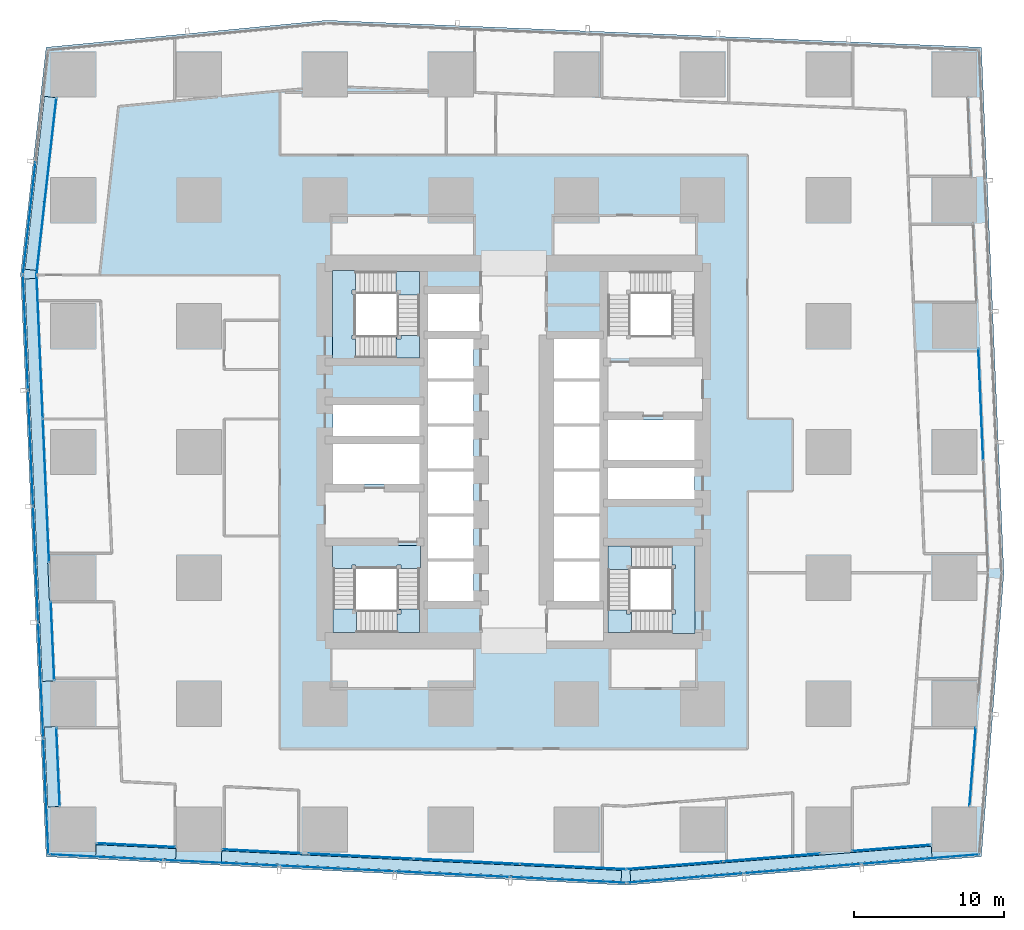
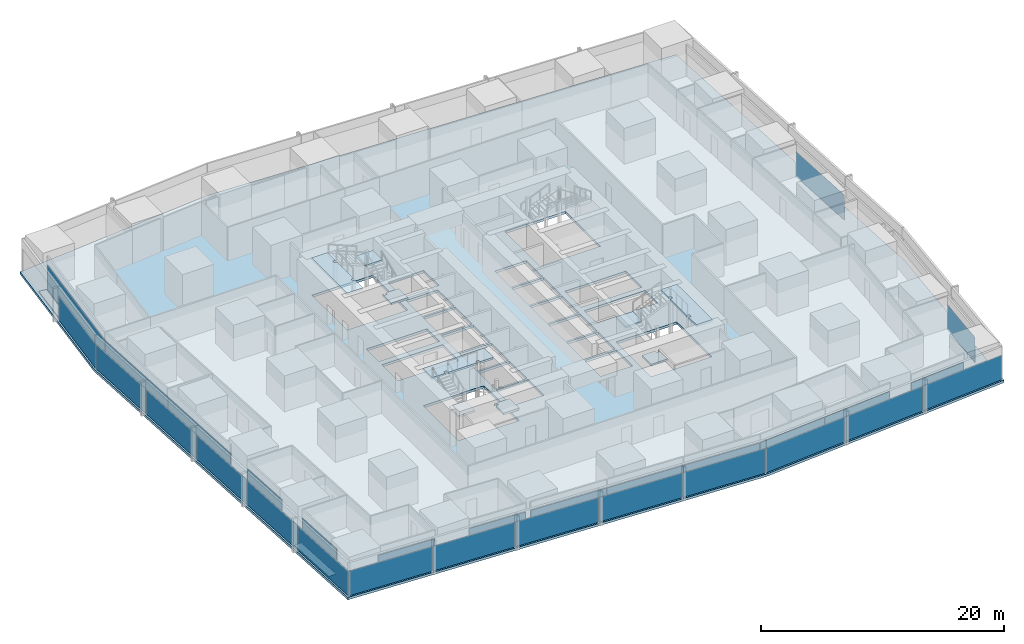
# One storey, part 30 of 44: 35 plates, 10 slabs, 18 elements without a shape of their own.
"""IFC4 building model written with IfcOpenShell, lengths in metres."""

from ifc_helpers import new_model, si_unit, direction, frame, origin, origin_2d, place, context, subcontext, project, spatial, polyline, rectangle, outline, extrude, material, layer, layer_set, type_object, element, aggregate, save


model = new_model("IFC4")

# Units and contexts
model_context = context("Model", 3, precision=1e-05, world=origin(), true_north=direction((0.0, 1.0)))
body_context = subcontext(model_context, "Body", "Model", "MODEL_VIEW")
ifc_project = project(units=[si_unit("LENGTHUNIT", "METRE"), si_unit("AREAUNIT", "SQUARE_METRE"), si_unit("VOLUMEUNIT", "CUBIC_METRE"), si_unit("PLANEANGLEUNIT", "RADIAN"), si_unit("MASSUNIT", "GRAM", prefix="KILO")], contexts=[model_context])

# Site, building, storey
site_placement = place(None, origin())
site = spatial("IfcSite", under=ifc_project, at=site_placement, CompositionType="ELEMENT")
building_placement = place(site_placement, origin())
building = spatial("IfcBuilding", under=site, at=building_placement, Name="Rekha Terrace Tower", CompositionType="ELEMENT")
storey_placement = place(building_placement, frame((0.0, 0.0, 81.64990234375)))
storey = spatial("IfcBuildingStorey", under=building, at=storey_placement, Name="L20", CompositionType="ELEMENT", Elevation=81.64990234375)

# Curtain wall, plate
ifc_material_1 = material(Name="Aluminium framing", Category="aluminium")
curtain_wall_type_1 = type_object("IfcCurtainWallType", Name="CW1 double skin inner glazing", PredefinedType="USERDEFINED", material=ifc_material_1)
curtain_wall_1_placement = place(storey_placement, origin())
curtain_wall_1 = element("IfcCurtainWall", 1, at=curtain_wall_1_placement, inside=storey, type_object=curtain_wall_type_1, Name="CW1 double skin inner glazing", ObjectType="DOUBLE SKIN INNER GLAZING", PredefinedType="USERDEFINED")
ifc_material_2 = material(Name="Double-glazed low-e unit 32", Category="glass")
ifc_layer_1 = layer(ifc_material_2, 0.031982421875)
ifc_layer_set_1 = layer_set([ifc_layer_1], Name="Double-glazed low-e unit 32")
plate_type_1 = type_object("IfcPlateType", Name="CW1 jumbo vision panel, double-glazed low-e unit 32", PredefinedType="CURTAIN_PANEL", material=ifc_layer_set_1)
plate_1_placement = place(storey_placement, frame((12.60009765625, 7.36669921875, 0.0), z_axis=(0.0, 0.0, 1.0), x_axis=(0.998796239974, -0.049051717746, 0.0)))
plate_1 = element("IfcPlate", 2, at=plate_1_placement, type_object=plate_type_1, Name="CW1 panel 1.1", PredefinedType="CURTAIN_PANEL", context=body_context, shape_type="SweptSolid", body=[
    extrude(rectangle(XDim=5.227294921875, YDim=0.031982421875, at=origin_2d()), origin(), (0.0, 0.0, 1.0), 2.5),
])
aggregate(curtain_wall_1, [plate_1])

curtain_wall_2_placement = place(storey_placement, origin())
curtain_wall_2 = element("IfcCurtainWall", 3, at=curtain_wall_2_placement, inside=storey, type_object=curtain_wall_type_1, Name="CW1 double skin inner glazing", ObjectType="DOUBLE SKIN INNER GLAZING", PredefinedType="USERDEFINED")
plate_2_placement = place(storey_placement, frame((21.0, 6.9541015625, 0.0), z_axis=(0.0, 0.0, 1.0), x_axis=(0.998796239974, -0.049051717746, 0.0)))
plate_2 = element("IfcPlate", 4, at=plate_2_placement, type_object=plate_type_1, Name="CW1 panel 1.1", PredefinedType="CURTAIN_PANEL", context=body_context, shape_type="SweptSolid", body=[
    extrude(rectangle(XDim=5.227294921875, YDim=0.031982421875, at=origin_2d()), origin(), (0.0, 0.0, 1.0), 2.5),
])
aggregate(curtain_wall_2, [plate_2])

# Curtain wall, plates
curtain_wall_3_placement = place(storey_placement, origin())
curtain_wall_3 = element("IfcCurtainWall", 5, at=curtain_wall_3_placement, inside=storey, type_object=curtain_wall_type_1, Name="CW1 double skin inner glazing", ObjectType="DOUBLE SKIN INNER GLAZING", PredefinedType="USERDEFINED")
plate_3_placement = place(storey_placement, frame((27.60595703125, 6.629638671875, 0.0), z_axis=(0.0, 0.0, 1.0), x_axis=(0.998796239973, -0.049051717763, 0.0)))
plate_3 = element("IfcPlate", 6, at=plate_3_placement, type_object=plate_type_1, Name="CW1 panel 1.1", PredefinedType="CURTAIN_PANEL", context=body_context, shape_type="SweptSolid", body=[
    extrude(rectangle(XDim=6.98388671875, YDim=0.031982421875, at=origin_2d()), origin(), (0.0, 0.0, 1.0), 2.5),
])
plate_4_placement = place(storey_placement, frame((34.662353515625, 6.283203125, 0.0), z_axis=(0.0, 0.0, 1.0), x_axis=(0.998796239973, -0.049051717763, 0.0)))
plate_4 = element("IfcPlate", 7, at=plate_4_placement, type_object=plate_type_1, Name="CW1 panel 2.1", PredefinedType="CURTAIN_PANEL", context=body_context, shape_type="SweptSolid", body=[
    extrude(rectangle(XDim=7.016357421875, YDim=0.031982421875, at=origin_2d()), origin(), (0.0, 0.0, 1.0), 2.5),
])
plate_5_placement = place(storey_placement, frame((41.75146484375, 5.93505859375, 0.0), z_axis=(0.0, 0.0, 1.0), x_axis=(0.998796239973, -0.049051717763, 0.0)))
plate_5 = element("IfcPlate", 8, at=plate_5_placement, type_object=plate_type_1, Name="CW1 panel 3.1", PredefinedType="CURTAIN_PANEL", context=body_context, shape_type="SweptSolid", body=[
    extrude(rectangle(XDim=7.048828125, YDim=0.031982421875, at=origin_2d()), origin(), (0.0, 0.0, 1.0), 2.5),
])
aggregate(curtain_wall_3, [plate_3, plate_4, plate_5])

curtain_wall_4_placement = place(storey_placement, origin())
curtain_wall_4 = element("IfcCurtainWall", 9, at=curtain_wall_4_placement, inside=storey, type_object=curtain_wall_type_1, Name="CW1 double skin inner glazing", ObjectType="DOUBLE SKIN INNER GLAZING", PredefinedType="USERDEFINED")
plate_6_placement = place(storey_placement, frame((48.53759765625, 6.023681640625, 0.0), z_axis=(0.0, 0.0, 1.0), x_axis=(0.996805111821, 0.079872204468, 0.0)))
plate_6 = element("IfcPlate", 10, at=plate_6_placement, type_object=plate_type_1, Name="CW1 panel 1.1", PredefinedType="CURTAIN_PANEL", context=body_context, shape_type="SweptSolid", body=[
    extrude(rectangle(XDim=6.423095703125, YDim=0.031982421875, at=origin_2d()), origin(), (0.0, 0.0, 1.0), 2.5),
])
plate_7_placement = place(storey_placement, frame((55.0048828125, 6.5419921875, 0.0), z_axis=(0.0, 0.0, 1.0), x_axis=(0.996805111821, 0.079872204468, 0.0)))
plate_7 = element("IfcPlate", 11, at=plate_7_placement, type_object=plate_type_1, Name="CW1 panel 2.1", PredefinedType="CURTAIN_PANEL", context=body_context, shape_type="SweptSolid", body=[
    extrude(rectangle(XDim=6.423095703125, YDim=0.031982421875, at=origin_2d()), origin(), (0.0, 0.0, 1.0), 2.5),
])
aggregate(curtain_wall_4, [plate_6, plate_7])

# Curtain wall, plate
curtain_wall_5_placement = place(storey_placement, origin())
curtain_wall_5 = element("IfcCurtainWall", 12, at=curtain_wall_5_placement, inside=storey, type_object=curtain_wall_type_1, Name="CW1 double skin inner glazing", ObjectType="DOUBLE SKIN INNER GLAZING", PredefinedType="USERDEFINED")
plate_8_placement = place(storey_placement, frame((63.0, 7.1826171875, 0.0), z_axis=(0.0, 0.0, 1.0), x_axis=(0.996805111826, 0.079872204416, 0.0)))
plate_8 = element("IfcPlate", 13, at=plate_8_placement, type_object=plate_type_1, Name="CW1 panel 1.1", PredefinedType="CURTAIN_PANEL", context=body_context, shape_type="SweptSolid", body=[
    extrude(rectangle(XDim=5.232177734375, YDim=0.031982421875, at=origin_2d()), origin(), (0.0, 0.0, 1.0), 2.5),
])
aggregate(curtain_wall_5, [plate_8])

curtain_wall_6_placement = place(storey_placement, origin())
curtain_wall_6 = element("IfcCurtainWall", 14, at=curtain_wall_6_placement, inside=storey, type_object=curtain_wall_type_1, Name="CW1 double skin inner glazing", ObjectType="DOUBLE SKIN INNER GLAZING", PredefinedType="USERDEFINED")
plate_9_placement = place(storey_placement, frame((68.412841796875, 12.60009765625, 0.0), z_axis=(0.0, 0.0, 1.0), x_axis=(0.079116301, 0.996865392576, 0.0)))
plate_9 = element("IfcPlate", 15, at=plate_9_placement, type_object=plate_type_1, Name="CW1 panel 1.1", PredefinedType="CURTAIN_PANEL", context=body_context, shape_type="SweptSolid", body=[
    extrude(rectangle(XDim=5.23193359375, YDim=0.031982421875, at=origin_2d()), origin(), (0.0, 0.0, 1.0), 2.5),
])
aggregate(curtain_wall_6, [plate_9])

curtain_wall_7_placement = place(storey_placement, origin())
curtain_wall_7 = element("IfcCurtainWall", 16, at=curtain_wall_7_placement, inside=storey, type_object=curtain_wall_type_1, Name="CW1 double skin inner glazing", ObjectType="DOUBLE SKIN INNER GLAZING", PredefinedType="USERDEFINED")
plate_10_placement = place(storey_placement, frame((68.95703125, 36.77783203125, 0.0), z_axis=(0.0, 0.0, 1.0), x_axis=(-0.042696072921, 0.999088106904, 0.0)))
plate_10 = element("IfcPlate", 17, at=plate_10_placement, type_object=plate_type_1, Name="CW1 panel 2.1", PredefinedType="CURTAIN_PANEL", context=body_context, shape_type="SweptSolid", body=[
    extrude(rectangle(XDim=7.42578125, YDim=0.031982421875, at=origin_2d()), origin(), (0.0, 0.0, 1.0), 2.5),
])
aggregate(curtain_wall_7, [plate_10])

curtain_wall_8_placement = place(storey_placement, origin())
curtain_wall_8 = element("IfcCurtainWall", 18, at=curtain_wall_8_placement, inside=storey, type_object=curtain_wall_type_1, Name="CW1 double skin inner glazing", ObjectType="DOUBLE SKIN INNER GLAZING", PredefinedType="USERDEFINED")
plate_11_placement = place(storey_placement, frame((6.623779296875, 51.32421875, 0.0), z_axis=(0.0, 0.0, 1.0), x_axis=(-0.111729870748, -0.993738615524, 0.0)))
plate_11 = element("IfcPlate", 19, at=plate_11_placement, type_object=plate_type_1, Name="CW1 panel 1.1", PredefinedType="CURTAIN_PANEL", context=body_context, shape_type="SweptSolid", body=[
    extrude(rectangle(XDim=11.835205078125, YDim=0.031982421875, at=origin_2d()), origin(), (0.0, 0.0, 1.0), 2.5),
])
aggregate(curtain_wall_8, [plate_11])

# Curtain wall, plates
curtain_wall_9_placement = place(storey_placement, origin())
curtain_wall_9 = element("IfcCurtainWall", 20, at=curtain_wall_9_placement, inside=storey, type_object=curtain_wall_type_1, Name="CW1 double skin inner glazing", ObjectType="DOUBLE SKIN INNER GLAZING", PredefinedType="USERDEFINED")
plate_12_placement = place(storey_placement, frame((6.173828125, 40.615478515625, 0.0), z_axis=(0.0, 0.0, 1.0), x_axis=(0.04368254332, -0.999045462133, 0.0)))
plate_12 = element("IfcPlate", 21, at=plate_12_placement, type_object=plate_type_1, Name="CW1 panel 1.1", PredefinedType="CURTAIN_PANEL", context=body_context, shape_type="SweptSolid", body=[
    extrude(rectangle(XDim=9.535888671875, YDim=0.031982421875, at=origin_2d()), origin(), (0.0, 0.0, 1.0), 2.5),
])
plate_13_placement = place(storey_placement, frame((6.593017578125, 31.023681640625, 0.0), z_axis=(0.0, 0.0, 1.0), x_axis=(0.04368254332, -0.999045462133, 0.0)))
plate_13 = element("IfcPlate", 22, at=plate_13_placement, type_object=plate_type_1, Name="CW1 panel 2.1", PredefinedType="CURTAIN_PANEL", context=body_context, shape_type="SweptSolid", body=[
    extrude(rectangle(XDim=9.535888671875, YDim=0.031982421875, at=origin_2d()), origin(), (0.0, 0.0, 1.0), 2.5),
])
aggregate(curtain_wall_9, [plate_12, plate_13])

# Curtain wall, plate
curtain_wall_10_placement = place(storey_placement, origin())
curtain_wall_10 = element("IfcCurtainWall", 23, at=curtain_wall_10_placement, inside=storey, type_object=curtain_wall_type_1, Name="CW1 double skin inner glazing", ObjectType="DOUBLE SKIN INNER GLAZING", PredefinedType="USERDEFINED")
plate_14_placement = place(storey_placement, frame((7.031494140625, 21.0, 0.0), z_axis=(0.0, 0.0, 1.0), x_axis=(0.043682543407, -0.999045462129, 0.0)))
plate_14 = element("IfcPlate", 24, at=plate_14_placement, type_object=plate_type_1, Name="CW1 panel 1.1", PredefinedType="CURTAIN_PANEL", context=body_context, shape_type="SweptSolid", body=[
    extrude(rectangle(XDim=5.226806640625, YDim=0.031982421875, at=origin_2d()), origin(), (0.0, 0.0, 1.0), 2.5),
])
aggregate(curtain_wall_10, [plate_14])

curtain_wall_11_placement = place(storey_placement, origin())
curtain_wall_11 = element("IfcCurtainWall", 25, at=curtain_wall_11_placement, inside=storey, type_object=curtain_wall_type_1, Name="CW1 double skin inner glazing", ObjectType="DOUBLE SKIN INNER GLAZING", PredefinedType="USERDEFINED")
plate_15_placement = place(storey_placement, frame((7.398681640625, 12.60009765625, 0.0), z_axis=(0.0, 0.0, 1.0), x_axis=(0.043682543407, -0.999045462129, 0.0)))
plate_15 = element("IfcPlate", 26, at=plate_15_placement, type_object=plate_type_1, Name="CW1 panel 1.1", PredefinedType="CURTAIN_PANEL", context=body_context, shape_type="SweptSolid", body=[
    extrude(rectangle(XDim=5.226806640625, YDim=0.031982421875, at=origin_2d()), origin(), (0.0, 0.0, 1.0), 2.5),
])
aggregate(curtain_wall_11, [plate_15])

# Curtain wall, plates
curtain_wall_type_2 = type_object("IfcCurtainWallType", Name="CW2 double skin outer glazing", PredefinedType="USERDEFINED", material=ifc_material_1)
curtain_wall_12_placement = place(storey_placement, origin())
curtain_wall_12 = element("IfcCurtainWall", 27, at=curtain_wall_12_placement, inside=storey, type_object=curtain_wall_type_2, Name="CW2 double skin outer glazing", ObjectType="DOUBLE SKIN OUTER GLAZING", PredefinedType="USERDEFINED")
ifc_material_3 = material(Name="Toughened single glazing 12", Category="glass")
ifc_layer_2 = layer(ifc_material_3, 0.011962890625)
ifc_layer_set_2 = layer_set([ifc_layer_2], Name="Toughened single glazing 12")
plate_type_2 = type_object("IfcPlateType", Name="CW2 jumbo vision panel, toughened single glazing 12", PredefinedType="CURTAIN_PANEL", material=ifc_layer_set_2)
plate_16_placement = place(storey_placement, frame((10.626708984375, 6.5625, 0.0), z_axis=(0.0, 0.0, 1.0), x_axis=(0.998796239974, -0.049051717746, 0.0)))
plate_16 = element("IfcPlate", 28, at=plate_16_placement, type_object=plate_type_2, Name="CW2 panel 1.1", PredefinedType="CURTAIN_PANEL", context=body_context, shape_type="SweptSolid", body=[
    extrude(rectangle(XDim=7.595703125, YDim=0.011962890625, at=origin_2d()), origin(), (0.0, 0.0, 1.0), 2.5),
])
plate_17_placement = place(storey_placement, frame((18.31298828125, 6.18505859375, 0.0), z_axis=(0.0, 0.0, 1.0), x_axis=(0.998796239974, -0.049051717746, 0.0)))
plate_17 = element("IfcPlate", 29, at=plate_17_placement, type_object=plate_type_2, Name="CW2 panel 2.1", PredefinedType="CURTAIN_PANEL", context=body_context, shape_type="SweptSolid", body=[
    extrude(rectangle(XDim=7.6357421875, YDim=0.011962890625, at=origin_2d()), origin(), (0.0, 0.0, 1.0), 2.5),
])
plate_18_placement = place(storey_placement, frame((26.01953125, 5.806396484375, 0.0), z_axis=(0.0, 0.0, 1.0), x_axis=(0.998796239974, -0.049051717746, 0.0)))
plate_18 = element("IfcPlate", 30, at=plate_18_placement, type_object=plate_type_2, Name="CW2 panel 3.1", PredefinedType="CURTAIN_PANEL", context=body_context, shape_type="SweptSolid", body=[
    extrude(rectangle(XDim=7.6357421875, YDim=0.011962890625, at=origin_2d()), origin(), (0.0, 0.0, 1.0), 2.5),
])
plate_19_placement = place(storey_placement, frame((33.725830078125, 5.427978515625, 0.0), z_axis=(0.0, 0.0, 1.0), x_axis=(0.998796239974, -0.049051717746, 0.0)))
plate_19 = element("IfcPlate", 31, at=plate_19_placement, type_object=plate_type_2, Name="CW2 panel 4.1", PredefinedType="CURTAIN_PANEL", context=body_context, shape_type="SweptSolid", body=[
    extrude(rectangle(XDim=7.6357421875, YDim=0.011962890625, at=origin_2d()), origin(), (0.0, 0.0, 1.0), 2.5),
])
plate_20_placement = place(storey_placement, frame((41.452392578125, 5.048583984375, 0.0), z_axis=(0.0, 0.0, 1.0), x_axis=(0.998796239974, -0.049051717746, 0.0)))
plate_20 = element("IfcPlate", 32, at=plate_20_placement, type_object=plate_type_2, Name="CW2 panel 5.1", PredefinedType="CURTAIN_PANEL", context=body_context, shape_type="SweptSolid", body=[
    extrude(rectangle(XDim=7.67578125, YDim=0.011962890625, at=origin_2d()), origin(), (0.0, 0.0, 1.0), 2.5),
])
aggregate(curtain_wall_12, [plate_16, plate_17, plate_18, plate_19, plate_20])

curtain_wall_13_placement = place(storey_placement, origin())
curtain_wall_13 = element("IfcCurtainWall", 33, at=curtain_wall_13_placement, inside=storey, type_object=curtain_wall_type_2, Name="CW2 double skin outer glazing", ObjectType="DOUBLE SKIN OUTER GLAZING", PredefinedType="USERDEFINED")
plate_21_placement = place(storey_placement, frame((49.233154296875, 5.176513671875, 0.0), z_axis=(0.0, 0.0, 1.0), x_axis=(0.996805111821, 0.079872204468, 0.0)))
plate_21 = element("IfcPlate", 34, at=plate_21_placement, type_object=plate_type_2, Name="CW2 panel 1.1", PredefinedType="CURTAIN_PANEL", context=body_context, shape_type="SweptSolid", body=[
    extrude(rectangle(XDim=7.760498046875, YDim=0.011962890625, at=origin_2d()), origin(), (0.0, 0.0, 1.0), 2.5),
])
plate_22_placement = place(storey_placement, frame((57.068359375, 5.804443359375, 0.0), z_axis=(0.0, 0.0, 1.0), x_axis=(0.996805111821, 0.079872204468, 0.0)))
plate_22 = element("IfcPlate", 35, at=plate_22_placement, type_object=plate_type_2, Name="CW2 panel 2.1", PredefinedType="CURTAIN_PANEL", context=body_context, shape_type="SweptSolid", body=[
    extrude(rectangle(XDim=7.800537109375, YDim=0.011962890625, at=origin_2d()), origin(), (0.0, 0.0, 1.0), 2.5),
])
plate_23_placement = place(storey_placement, frame((64.943603515625, 6.435546875, 0.0), z_axis=(0.0, 0.0, 1.0), x_axis=(0.996805111821, 0.079872204468, 0.0)))
plate_23 = element("IfcPlate", 36, at=plate_23_placement, type_object=plate_type_2, Name="CW2 panel 3.1", PredefinedType="CURTAIN_PANEL", context=body_context, shape_type="SweptSolid", body=[
    extrude(rectangle(XDim=7.84033203125, YDim=0.011962890625, at=origin_2d()), origin(), (0.0, 0.0, 1.0), 2.5),
])
aggregate(curtain_wall_13, [plate_21, plate_22, plate_23])

# Curtain wall, plate
curtain_wall_14_placement = place(storey_placement, origin())
curtain_wall_14 = element("IfcCurtainWall", 37, at=curtain_wall_14_placement, inside=storey, type_object=curtain_wall_type_2, Name="CW2 double skin outer glazing", ObjectType="DOUBLE SKIN OUTER GLAZING", PredefinedType="USERDEFINED")
plate_24_placement = place(storey_placement, frame((5.479248046875, 49.19921875, 0.0), z_axis=(0.0, 0.0, 1.0), x_axis=(-0.111729870782, -0.99373861552, 0.0)))
plate_24 = element("IfcPlate", 38, at=plate_24_placement, type_object=plate_type_2, Name="CW2 panel 2.1", PredefinedType="CURTAIN_PANEL", context=body_context, shape_type="SweptSolid", body=[
    extrude(rectangle(XDim=7.49658203125, YDim=0.011962890625, at=origin_2d()), origin(), (0.0, 0.0, 1.0), 2.5),
])
aggregate(curtain_wall_14, [plate_24])

# Curtain wall, plates
curtain_wall_15_placement = place(storey_placement, origin())
curtain_wall_15 = element("IfcCurtainWall", 39, at=curtain_wall_15_placement, inside=storey, type_object=curtain_wall_type_2, Name="CW2 double skin outer glazing", ObjectType="DOUBLE SKIN OUTER GLAZING", PredefinedType="USERDEFINED")
plate_25_placement = place(storey_placement, frame((5.23046875, 41.582275390625, 0.0), z_axis=(0.0, 0.0, 1.0), x_axis=(0.043682543372, -0.999045462131, 0.0)))
plate_25 = element("IfcPlate", 40, at=plate_25_placement, type_object=plate_type_2, Name="CW2 panel 1.1", PredefinedType="CURTAIN_PANEL", context=body_context, shape_type="SweptSolid", body=[
    extrude(rectangle(XDim=7.6318359375, YDim=0.011962890625, at=origin_2d()), origin(), (0.0, 0.0, 1.0), 2.5),
])
plate_26_placement = place(storey_placement, frame((5.568359375, 33.85791015625, 0.0), z_axis=(0.0, 0.0, 1.0), x_axis=(0.043682543372, -0.999045462131, 0.0)))
plate_26 = element("IfcPlate", 41, at=plate_26_placement, type_object=plate_type_2, Name="CW2 panel 2.1", PredefinedType="CURTAIN_PANEL", context=body_context, shape_type="SweptSolid", body=[
    extrude(rectangle(XDim=7.671875, YDim=0.011962890625, at=origin_2d()), origin(), (0.0, 0.0, 1.0), 2.5),
])
plate_27_placement = place(storey_placement, frame((5.906982421875, 26.113525390625, 0.0), z_axis=(0.0, 0.0, 1.0), x_axis=(0.043682543372, -0.999045462131, 0.0)))
plate_27 = element("IfcPlate", 42, at=plate_27_placement, type_object=plate_type_2, Name="CW2 panel 3.1", PredefinedType="CURTAIN_PANEL", context=body_context, shape_type="SweptSolid", body=[
    extrude(rectangle(XDim=7.671875, YDim=0.011962890625, at=origin_2d()), origin(), (0.0, 0.0, 1.0), 2.5),
])
plate_28_placement = place(storey_placement, frame((6.24560546875, 18.369140625, 0.0), z_axis=(0.0, 0.0, 1.0), x_axis=(0.043682543372, -0.999045462131, 0.0)))
plate_28 = element("IfcPlate", 43, at=plate_28_placement, type_object=plate_type_2, Name="CW2 panel 4.1", PredefinedType="CURTAIN_PANEL", context=body_context, shape_type="SweptSolid", body=[
    extrude(rectangle(XDim=7.671875, YDim=0.011962890625, at=origin_2d()), origin(), (0.0, 0.0, 1.0), 2.5),
])
plate_29_placement = place(storey_placement, frame((6.5849609375, 10.60498046875, 0.0), z_axis=(0.0, 0.0, 1.0), x_axis=(0.043682543372, -0.999045462131, 0.0)))
plate_29 = element("IfcPlate", 44, at=plate_29_placement, type_object=plate_type_2, Name="CW2 panel 5.1", PredefinedType="CURTAIN_PANEL", context=body_context, shape_type="SweptSolid", body=[
    extrude(rectangle(XDim=7.711669921875, YDim=0.011962890625, at=origin_2d()), origin(), (0.0, 0.0, 1.0), 2.5),
])
aggregate(curtain_wall_15, [plate_25, plate_26, plate_27, plate_28, plate_29])

# Plates
ifc_material_4 = material(Name="Galvanised steel open grating", Category="steel")
ifc_layer_3 = layer(ifc_material_4, 0.050048828125)
ifc_layer_set_3 = layer_set([ifc_layer_3], Name="Galvanised steel open grating")
plate_type_3 = type_object("IfcPlateType", Name="GT1 cavity walkway grating 50", PredefinedType="USERDEFINED", material=ifc_layer_set_3)
plate_30_placement = place(storey_placement, frame((12.594482421875, 6.916259765625, 0.0), z_axis=(0.0, 0.0, 1.0), x_axis=(0.998796239974, -0.049051717746, 0.0)))
element("IfcPlate", 45, at=plate_30_placement, inside=storey, type_object=plate_type_3, Name="Cavity walkway grating", ObjectType="CAVITY WALKWAY GRATING", PredefinedType="USERDEFINED", context=body_context, shape_type="SweptSolid", body=[
    extrude(rectangle(XDim=5.3408203125, YDim=0.705078125, at=origin_2d()), origin(), (0.0, 0.0, 1.0), 0.050048828125),
])
plate_31_placement = place(storey_placement, frame((31.64306640625, 5.98095703125, 0.0), z_axis=(0.0, 0.0, 1.0), x_axis=(0.998796239974, -0.049051717746, 0.0)))
element("IfcPlate", 46, at=plate_31_placement, inside=storey, type_object=plate_type_3, Name="Cavity walkway grating", ObjectType="CAVITY WALKWAY GRATING", PredefinedType="USERDEFINED", context=body_context, shape_type="SweptSolid", body=[
    extrude(rectangle(XDim=26.7041015625, YDim=0.705078125, at=origin_2d()), origin(), (0.0, 0.0, 1.0), 0.050048828125),
])
plate_32_placement = place(storey_placement, frame((55.626953125, 6.140380859375, 0.0), z_axis=(0.0, 0.0, 1.0), x_axis=(0.996805111821, 0.079872204468, 0.0)))
element("IfcPlate", 47, at=plate_32_placement, inside=storey, type_object=plate_type_3, Name="Cavity walkway grating", ObjectType="CAVITY WALKWAY GRATING", PredefinedType="USERDEFINED", context=body_context, shape_type="SweptSolid", body=[
    extrude(rectangle(XDim=20.1630859375, YDim=0.705078125, at=origin_2d()), origin(), (0.0, 0.0, 1.0), 0.050048828125),
])
plate_33_placement = place(storey_placement, frame((6.193115234375, 51.52197265625, 0.0), z_axis=(0.0, 0.0, 1.0), x_axis=(-0.1117298708, -0.993738615518, 0.0)))
element("IfcPlate", 48, at=plate_33_placement, inside=storey, type_object=plate_type_3, Name="Cavity walkway grating", ObjectType="CAVITY WALKWAY GRATING", PredefinedType="USERDEFINED", context=body_context, shape_type="SweptSolid", body=[
    extrude(rectangle(XDim=11.601806640625, YDim=0.705078125, at=origin_2d()), origin(), (0.0, 0.0, 1.0), 0.050048828125),
])
plate_34_placement = place(storey_placement, frame((6.111572265625, 31.7353515625, 0.0), z_axis=(0.0, 0.0, 1.0), x_axis=(0.043682543355, -0.999045462132, 0.0)))
element("IfcPlate", 49, at=plate_34_placement, inside=storey, type_object=plate_type_3, Name="Cavity walkway grating", ObjectType="CAVITY WALKWAY GRATING", PredefinedType="USERDEFINED", context=body_context, shape_type="SweptSolid", body=[
    extrude(rectangle(XDim=26.873779296875, YDim=0.705078125, at=origin_2d()), origin(), (0.0, 0.0, 1.0), 0.050048828125),
])
plate_35_placement = place(storey_placement, frame((6.948486328125, 12.595458984375, 0.0), z_axis=(0.0, 0.0, 1.0), x_axis=(0.043682543355, -0.999045462132, 0.0)))
element("IfcPlate", 50, at=plate_35_placement, inside=storey, type_object=plate_type_3, Name="Cavity walkway grating", ObjectType="CAVITY WALKWAY GRATING", PredefinedType="USERDEFINED", context=body_context, shape_type="SweptSolid", body=[
    extrude(rectangle(XDim=5.341552734375, YDim=0.705078125, at=origin_2d()), origin(), (0.0, 0.0, 1.0), 0.050048828125),
])

# Stair, slabs
ifc_material_5 = material(Name="Concrete M40", Category="concrete")
stair_type = type_object("IfcStairType", Name="ST30 stair, 30 risers of 125, going 300, 1500 wide flights, 3 flights", PredefinedType="HALF_TURN_STAIR", material=ifc_material_5)
stair_1_placement = place(storey_placement, origin())
stair_1 = element("IfcStair", 51, at=stair_1_placement, inside=storey, type_object=stair_type, Name="Stair ST1 L20 to L21", PredefinedType="HALF_TURN_STAIR")
ifc_layer_4 = layer(ifc_material_5, 0.199951171875)
ifc_layer_set_4 = layer_set([ifc_layer_4], Name="Concrete M40")
slab_type_1 = type_object("IfcSlabType", Name="LD1 200 concrete stair landing", PredefinedType="LANDING", material=ifc_layer_set_4)
slab_1_placement = place(storey_placement, frame((0.0, 0.0, 1.050048828125)))
slab_1 = element("IfcSlab", 52, at=slab_1_placement, type_object=slab_type_1, Name="ST1 landing 1", PredefinedType="LANDING", context=body_context, shape_type="SweptSolid", body=[
    extrude(outline(polyline([(30.02490234375, 21.550048828125), (31.52490234375, 21.550048828125), (31.52490234375, 23.125), (30.02490234375, 23.125), (30.02490234375, 23.050048828125), (30.27490234375, 23.050048828125), (30.27490234375, 22.800048828125), (30.02490234375, 22.800048828125), (30.02490234375, 21.550048828125)])), origin(), (0.0, 0.0, 1.0), 0.199951171875),
])
slab_2_placement = place(storey_placement, frame((0.0, 0.0, 2.300048828125)))
slab_2 = element("IfcSlab", 53, at=slab_2_placement, type_object=slab_type_1, Name="ST1 landing 2", PredefinedType="LANDING", context=body_context, shape_type="SweptSolid", body=[
    extrude(outline(polyline([(27.25, 23.125), (25.75, 23.125), (25.75, 21.550048828125), (27.324951171875, 21.550048828125), (27.324951171875, 23.050048828125), (27.25, 23.050048828125), (27.25, 23.125)])), origin(), (0.0, 0.0, 1.0), 0.199951171875),
])
slab_3_placement = place(storey_placement, frame((0.0, 0.0, 3.550048828125)))
slab_3 = element("IfcSlab", 54, at=slab_3_placement, type_object=slab_type_1, Name="ST1 landing 3", PredefinedType="LANDING", context=body_context, shape_type="SweptSolid", body=[
    extrude(outline(polyline([(30.27490234375, 25.824951171875), (31.52490234375, 25.824951171875), (31.52490234375, 25.875), (31.574951171875, 25.875), (31.574951171875, 27.375), (25.699951171875, 27.375), (25.699951171875, 25.875), (25.75, 25.875), (25.75, 25.824951171875), (27.0, 25.824951171875), (27.0, 25.875), (27.0, 26.074951171875), (27.25, 26.074951171875), (27.25, 25.875), (27.25, 25.824951171875), (30.02490234375, 25.824951171875), (30.02490234375, 25.875), (30.02490234375, 26.074951171875), (30.27490234375, 26.074951171875), (30.27490234375, 25.875), (30.27490234375, 25.824951171875)])), origin(), (0.0, 0.0, 1.0), 0.199951171875),
])
aggregate(stair_1, [slab_1, slab_2, slab_3])

stair_2_placement = place(storey_placement, origin())
stair_2 = element("IfcStair", 55, at=stair_2_placement, inside=storey, type_object=stair_type, Name="Stair ST3 L20 to L21", PredefinedType="HALF_TURN_STAIR")
slab_4_placement = place(storey_placement, frame((0.0, 0.0, 1.050048828125)))
slab_4 = element("IfcSlab", 56, at=slab_4_placement, type_object=slab_type_1, Name="ST3 landing 1", PredefinedType="LANDING", context=body_context, shape_type="SweptSolid", body=[
    extrude(outline(polyline([(44.074951171875, 23.050048828125), (44.074951171875, 21.550048828125), (45.64990234375, 21.550048828125), (45.64990234375, 23.050048828125), (45.574951171875, 23.050048828125), (45.574951171875, 22.800048828125), (45.324951171875, 22.800048828125), (45.324951171875, 23.050048828125), (44.074951171875, 23.050048828125)])), origin(), (0.0, 0.0, 1.0), 0.199951171875),
])
slab_5_placement = place(storey_placement, frame((0.0, 0.0, 2.300048828125)))
slab_5 = element("IfcSlab", 57, at=slab_5_placement, type_object=slab_type_1, Name="ST3 landing 2", PredefinedType="LANDING", context=body_context, shape_type="SweptSolid", body=[
    extrude(outline(polyline([(45.64990234375, 25.824951171875), (45.64990234375, 27.324951171875), (44.074951171875, 27.324951171875), (44.074951171875, 25.75), (45.574951171875, 25.75), (45.574951171875, 25.824951171875), (45.64990234375, 25.824951171875)])), origin(), (0.0, 0.0, 1.0), 0.199951171875),
])
slab_6_placement = place(storey_placement, frame((0.0, 0.0, 3.550048828125)))
slab_6 = element("IfcSlab", 58, at=slab_6_placement, type_object=slab_type_1, Name="ST3 landing 3", PredefinedType="LANDING", context=body_context, shape_type="SweptSolid", body=[
    extrude(outline(polyline([(48.35009765625, 22.800048828125), (48.35009765625, 21.550048828125), (48.39990234375, 21.550048828125), (48.39990234375, 21.5), (49.89990234375, 21.5), (49.89990234375, 27.375), (48.39990234375, 27.375), (48.39990234375, 27.324951171875), (48.35009765625, 27.324951171875), (48.35009765625, 26.074951171875), (48.39990234375, 26.074951171875), (48.60009765625, 26.074951171875), (48.60009765625, 25.824951171875), (48.39990234375, 25.824951171875), (48.35009765625, 25.824951171875), (48.35009765625, 23.050048828125), (48.39990234375, 23.050048828125), (48.60009765625, 23.050048828125), (48.60009765625, 22.800048828125), (48.39990234375, 22.800048828125), (48.35009765625, 22.800048828125)])), origin(), (0.0, 0.0, 1.0), 0.199951171875),
])
aggregate(stair_2, [slab_4, slab_5, slab_6])

stair_3_placement = place(storey_placement, origin())
stair_3 = element("IfcStair", 59, at=stair_3_placement, inside=storey, type_object=stair_type, Name="Stair ST4 L20 to L21", PredefinedType="HALF_TURN_STAIR")
slab_7_placement = place(storey_placement, frame((0.0, 0.0, 1.050048828125)))
slab_7 = element("IfcSlab", 60, at=slab_7_placement, type_object=slab_type_1, Name="ST4 landing 1", PredefinedType="LANDING", context=body_context, shape_type="SweptSolid", body=[
    extrude(outline(polyline([(31.52490234375, 41.375), (31.52490234375, 39.875), (29.949951171875, 39.875), (29.949951171875, 41.375), (30.02490234375, 41.375), (30.02490234375, 41.125), (30.27490234375, 41.125), (30.27490234375, 41.375), (31.52490234375, 41.375)])), origin(), (0.0, 0.0, 1.0), 0.199951171875),
])
slab_8_placement = place(storey_placement, frame((0.0, 0.0, 2.300048828125)))
slab_8 = element("IfcSlab", 61, at=slab_8_placement, type_object=slab_type_1, Name="ST4 landing 2", PredefinedType="LANDING", context=body_context, shape_type="SweptSolid", body=[
    extrude(outline(polyline([(29.949951171875, 44.14990234375), (29.949951171875, 45.64990234375), (31.52490234375, 45.64990234375), (31.52490234375, 44.074951171875), (30.02490234375, 44.074951171875), (30.02490234375, 44.14990234375), (29.949951171875, 44.14990234375)])), origin(), (0.0, 0.0, 1.0), 0.199951171875),
])
slab_9_placement = place(storey_placement, frame((0.0, 0.0, 3.550048828125)))
slab_9 = element("IfcSlab", 62, at=slab_9_placement, type_object=slab_type_1, Name="ST4 landing 3", PredefinedType="LANDING", context=body_context, shape_type="SweptSolid", body=[
    extrude(outline(polyline([(27.25, 45.64990234375), (27.25, 44.39990234375), (27.199951171875, 44.39990234375), (27.0, 44.39990234375), (27.0, 44.14990234375), (27.199951171875, 44.14990234375), (27.25, 44.14990234375), (27.25, 41.375), (27.199951171875, 41.375), (27.0, 41.375), (27.0, 41.125), (27.199951171875, 41.125), (27.25, 41.125), (27.25, 39.875), (27.199951171875, 39.875), (27.199951171875, 39.824951171875), (25.699951171875, 39.824951171875), (25.699951171875, 45.699951171875), (27.199951171875, 45.699951171875), (27.199951171875, 45.64990234375), (27.25, 45.64990234375)])), origin(), (0.0, 0.0, 1.0), 0.199951171875),
])
aggregate(stair_3, [slab_7, slab_8, slab_9])

# Slab
ifc_material_6 = material(Name="Concrete M50", Category="concrete")
ifc_layer_5 = layer(ifc_material_6, 0.25)
ifc_layer_set_5 = layer_set([ifc_layer_5], Name="Concrete M50")
slab_type_2 = type_object("IfcSlabType", Name="SL4 250 post-tensioned flat plate", PredefinedType="FLOOR", material=ifc_layer_set_5)
slab_10_placement = place(storey_placement, frame((0.0, 0.0, -0.25)))
element("IfcSlab", 63, at=slab_10_placement, inside=storey, type_object=slab_type_2, Name="Post-tensioned flat plate L20", PredefinedType="FLOOR", context=body_context, shape_type="SweptSolid", body=[
    extrude(outline(polyline([(4.89990234375, 45.47998046875), (6.60009765625, 6.60009765625), (45.2880859375, 4.699951171875), (69.0, 6.60009765625), (70.5, 25.5), (69.0, 60.60009765625), (25.320068359375, 62.39990234375), (6.60009765625, 60.60009765625), (4.89990234375, 45.47998046875)]), holes=[polyline([(31.52490234375, 27.324951171875), (31.52490234375, 21.550048828125), (25.75, 21.550048828125), (25.75, 27.324951171875), (31.52490234375, 27.324951171875)]), polyline([(35.10009765625, 26.300048828125), (35.10009765625, 23.675048828125), (32.074951171875, 23.675048828125), (32.074951171875, 26.300048828125), (35.10009765625, 26.300048828125)]), polyline([(35.10009765625, 29.300048828125), (35.10009765625, 26.5), (32.074951171875, 26.5), (32.074951171875, 29.300048828125), (35.10009765625, 29.300048828125)]), polyline([(35.10009765625, 29.5), (32.074951171875, 29.5), (32.074951171875, 32.300048828125), (35.10009765625, 32.300048828125), (35.10009765625, 29.5)]), polyline([(31.52490234375, 31.47509765625), (25.75, 31.47509765625), (25.75, 34.125), (31.52490234375, 34.125), (31.52490234375, 31.47509765625)]), polyline([(35.10009765625, 35.300048828125), (35.10009765625, 32.5), (32.074951171875, 32.5), (32.074951171875, 35.300048828125), (35.10009765625, 35.300048828125)]), polyline([(31.52490234375, 36.72509765625), (31.52490234375, 34.675048828125), (25.75, 34.675048828125), (25.75, 36.72509765625), (31.52490234375, 36.72509765625)]), polyline([(35.10009765625, 38.300048828125), (35.10009765625, 35.5), (32.074951171875, 35.5), (32.074951171875, 38.300048828125), (35.10009765625, 38.300048828125)]), polyline([(35.10009765625, 38.5), (32.074951171875, 38.5), (32.074951171875, 41.125), (35.10009765625, 41.125), (35.10009765625, 38.5)]), polyline([(31.52490234375, 39.875), (25.75, 39.875), (25.75, 45.64990234375), (31.52490234375, 45.64990234375), (31.52490234375, 39.875)]), polyline([(35.5, 44.125), (35.5, 41.675048828125), (32.074951171875, 41.675048828125), (32.074951171875, 44.125), (35.5, 44.125)]), polyline([(49.85009765625, 27.324951171875), (49.85009765625, 21.550048828125), (44.074951171875, 21.550048828125), (44.074951171875, 27.324951171875), (49.85009765625, 27.324951171875)]), polyline([(43.52490234375, 26.300048828125), (43.52490234375, 23.675048828125), (40.5, 23.675048828125), (40.5, 26.300048828125), (43.52490234375, 26.300048828125)]), polyline([(43.52490234375, 26.5), (40.5, 26.5), (40.5, 29.300048828125), (43.52490234375, 29.300048828125), (43.52490234375, 26.5)]), polyline([(43.52490234375, 29.5), (40.5, 29.5), (40.5, 32.300048828125), (43.52490234375, 32.300048828125), (43.52490234375, 29.5)]), polyline([(49.85009765625, 32.52490234375), (49.85009765625, 30.47509765625), (44.074951171875, 30.47509765625), (44.074951171875, 32.52490234375), (49.85009765625, 32.52490234375)]), polyline([(43.52490234375, 32.5), (40.5, 32.5), (40.5, 35.300048828125), (43.52490234375, 35.300048828125), (43.52490234375, 32.5)]), polyline([(49.85009765625, 33.074951171875), (44.074951171875, 33.074951171875), (44.074951171875, 35.72509765625), (49.85009765625, 35.72509765625), (49.85009765625, 33.074951171875)]), polyline([(43.52490234375, 38.300048828125), (43.52490234375, 35.5), (40.5, 35.5), (40.5, 38.300048828125), (43.52490234375, 38.300048828125)]), polyline([(43.52490234375, 38.5), (40.5, 38.5), (40.5, 41.125), (43.52490234375, 41.125), (43.52490234375, 38.5)]), polyline([(49.85009765625, 39.875), (44.074951171875, 39.875), (44.074951171875, 45.64990234375), (49.85009765625, 45.64990234375), (49.85009765625, 39.875)])]), origin(), (0.0, 0.0, 1.0), 0.25),
])

save(model, "model.ifc")
